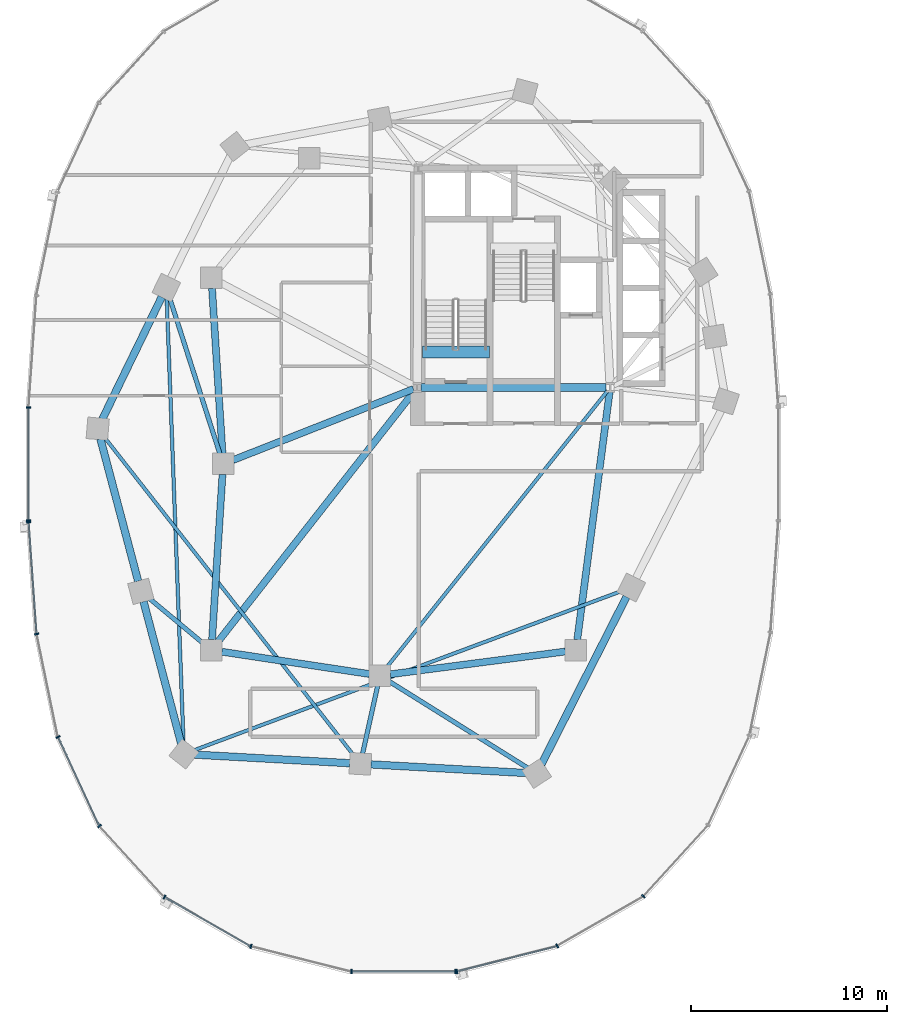
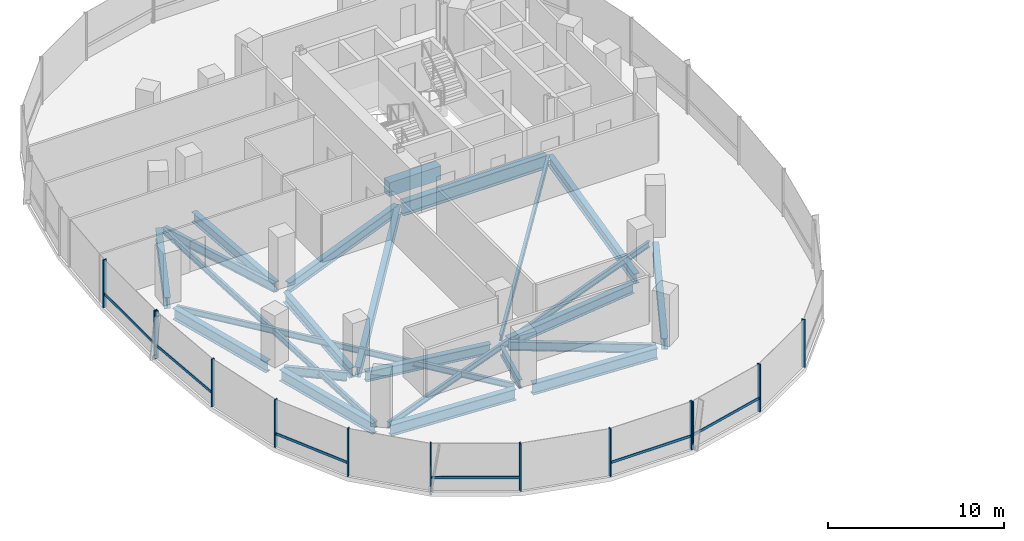
# One storey, part 2 of 21: 23 beams, 19 members, 3 elements without a shape of their own.
"""IFC4 building model written with IfcOpenShell, lengths in metres."""

from ifc_helpers import new_model, si_unit, direction, frame, origin, origin_2d, place, context, subcontext, project, spatial, rectangle, i_section, extrude, material, material_profile, profile_set, type_object, element, aggregate, save


model = new_model("IFC4")

# Units and contexts
model_context = context("Model", 3, precision=1e-05, world=origin(), true_north=direction((0.0, 1.0)))
body_context = subcontext(model_context, "Body", "Model", "MODEL_VIEW")
ifc_project = project(units=[si_unit("LENGTHUNIT", "METRE"), si_unit("AREAUNIT", "SQUARE_METRE"), si_unit("VOLUMEUNIT", "CUBIC_METRE"), si_unit("PLANEANGLEUNIT", "RADIAN"), si_unit("MASSUNIT", "GRAM", prefix="KILO"), si_unit("THERMODYNAMICTEMPERATUREUNIT", "KELVIN"), si_unit("POWERUNIT", "WATT")], contexts=[model_context])

# Site, building, storey
site_placement = place(None, origin())
site = spatial("IfcSite", under=ifc_project, at=site_placement, CompositionType="ELEMENT")
building_placement = place(site_placement, origin())
building = spatial("IfcBuilding", under=site, at=building_placement, Name="Cundina Bronze Exchange", CompositionType="ELEMENT")
storey_placement = place(building_placement, frame((0.0, 0.0, 85.39990234375)))
storey = spatial("IfcBuildingStorey", under=building, at=storey_placement, Name="L21", CompositionType="ELEMENT", Elevation=85.39990234375)

# Beams
ifc_material_1 = material(Name="Concrete C60/75", Category="concrete")
ifc_material_profile_1 = material_profile(ifc_material_1, rectangle(XDim=0.60009765625, YDim=0.949951171875, at=origin_2d()), Name="RC600X950", Category="concrete")
ifc_profile_set_1 = profile_set([ifc_material_profile_1], Name="Concrete C60/75")
beam_type_1 = type_object("IfcBeamType", Name="BM-COUP-RC950", PredefinedType="LINTEL", material=ifc_profile_set_1)
beam_1_placement = place(storey_placement, frame((-31.02001953125, 5.719970703125, -0.474853515625), z_axis=(1.0, 0.0, 0.0), x_axis=(0.0, 1.0, 0.0)))
element("IfcBeam", 1, at=beam_1_placement, inside=storey, type_object=beam_type_1, Name="L21 Stair W1 Landing Header Beam", PredefinedType="LINTEL", context=body_context, shape_type="SweptSolid", body=[
    extrude(rectangle(XDim=0.60009765625, YDim=0.949951171875, at=origin_2d()), origin(), (0.0, 0.0, 1.0), 3.39990234375),
])
ifc_material_2 = material(Name="Steel ASTM A992 Grade 50", Category="steel")
ifc_material_profile_2 = material_profile(ifc_material_2, i_section(OverallWidth=0.22998046875, OverallDepth=0.616943359375, WebThickness=0.01318359375, FlangeThickness=0.022216796875, FilletRadius=0.013916015625, at=origin_2d()), Name="W24X94", Category="steel")
ifc_profile_set_2 = profile_set([ifc_material_profile_2], Name="Steel ASTM A992 Grade 50")
beam_type_2 = type_object("IfcBeamType", Name="BM-FLR-W24B", PredefinedType="BEAM", material=ifc_profile_set_2)
beam_2_placement = place(storey_placement, frame((-41.364990234375, 0.51220703125, -0.6083984375), z_axis=(-0.306710777581, 0.951802762612, 0.0), x_axis=(-0.951802762612, -0.306710777581, 0.0)))
element("IfcBeam", 2, at=beam_2_placement, inside=storey, type_object=beam_type_2, Name="L21 Leg W Radial Floor Beam 07", PredefinedType="BEAM", context=body_context, shape_type="SweptSolid", body=[
    extrude(i_section(OverallWidth=0.22998046875, OverallDepth=0.616943359375, WebThickness=0.01318359375, FlangeThickness=0.022216796875, FilletRadius=0.013916015625, at=origin_2d()), origin(), (0.0, 0.0, 1.0), 8.37939453125),
])
beam_3_placement = place(storey_placement, frame((-42.21337890625, -9.155517578125, -0.6083984375), z_axis=(-0.768243451945, 0.640157791911, 0.0), x_axis=(-0.640157791911, -0.768243451945, 0.0)))
element("IfcBeam", 3, at=beam_3_placement, inside=storey, type_object=beam_type_2, Name="L21 Leg W Radial Floor Beam 09", PredefinedType="BEAM", context=body_context, shape_type="SweptSolid", body=[
    extrude(i_section(OverallWidth=0.22998046875, OverallDepth=0.616943359375, WebThickness=0.01318359375, FlangeThickness=0.022216796875, FilletRadius=0.013916015625, at=origin_2d()), origin(), (0.0, 0.0, 1.0), 3.610107421875),
])
beam_4_placement = place(storey_placement, frame((-33.316650390625, -11.3251953125, -0.6083984375), z_axis=(-0.216930457819, -0.976187060184, 0.0), x_axis=(0.976187060184, -0.216930457819, 0.0)))
element("IfcBeam", 4, at=beam_4_placement, inside=storey, type_object=beam_type_2, Name="L21 Leg W Radial Floor Beam 11", PredefinedType="BEAM", context=body_context, shape_type="SweptSolid", body=[
    extrude(i_section(OverallWidth=0.22998046875, OverallDepth=0.616943359375, WebThickness=0.01318359375, FlangeThickness=0.022216796875, FilletRadius=0.013916015625, at=origin_2d()), origin(), (0.0, 0.0, 1.0), 3.533935546875),
])
beam_5_placement = place(storey_placement, frame((-32.743896484375, -11.085205078125, -0.6083984375), z_axis=(0.848003227047, -0.529991063055, 0.0), x_axis=(0.529991063055, 0.848003227047, 0.0)))
element("IfcBeam", 5, at=beam_5_placement, inside=storey, type_object=beam_type_2, Name="L21 Leg W Radial Floor Beam 12", PredefinedType="BEAM", context=body_context, shape_type="SweptSolid", body=[
    extrude(i_section(OverallWidth=0.22998046875, OverallDepth=0.616943359375, WebThickness=0.01318359375, FlangeThickness=0.022216796875, FilletRadius=0.013916015625, at=origin_2d()), origin(), (0.0, 0.0, 1.0), 8.358154296875),
])
ifc_material_profile_3 = material_profile(ifc_material_2, i_section(OverallWidth=0.178955078125, OverallDepth=0.409912109375, WebThickness=0.0087890625, FlangeThickness=0.014404296875, FilletRadius=0.010986328125, at=origin_2d()), Name="W16X45", Category="steel")
ifc_profile_set_3 = profile_set([ifc_material_profile_3], Name="Steel ASTM A992 Grade 50")
beam_type_3 = type_object("IfcBeamType", Name="BM-JST-W16", PredefinedType="JOIST", material=ifc_profile_set_3)
beam_6_placement = place(storey_placement, frame((-21.577392578125, 3.740478515625, -0.5048828125), z_axis=(-0.62436887964, -0.781129632095, 0.0), x_axis=(0.781129632095, -0.62436887964, 0.0)))
element("IfcBeam", 6, at=beam_6_placement, inside=storey, type_object=beam_type_3, Name="L21 W Interior Core-to-Ring Joist 2", PredefinedType="JOIST", context=body_context, shape_type="SweptSolid", body=[
    extrude(i_section(OverallWidth=0.178955078125, OverallDepth=0.409912109375, WebThickness=0.0087890625, FlangeThickness=0.014404296875, FilletRadius=0.010986328125, at=origin_2d()), origin(), (0.0, 0.0, 1.0), 18.076904296875),
])
beam_7_placement = place(storey_placement, frame((-44.07958984375, 8.46240234375, -0.5048828125), z_axis=(0.03778951385, -0.999285721224, 0.0), x_axis=(0.999285721224, 0.03778951385, 0.0)))
element("IfcBeam", 7, at=beam_7_placement, inside=storey, type_object=beam_type_3, Name="L21 Leg W Lobe Floor Joist 07-10", PredefinedType="JOIST", context=body_context, shape_type="SweptSolid", body=[
    extrude(i_section(OverallWidth=0.178955078125, OverallDepth=0.409912109375, WebThickness=0.0087890625, FlangeThickness=0.014404296875, FilletRadius=0.010986328125, at=origin_2d()), origin(), (0.0, 0.0, 1.0), 22.7412109375),
])
beam_8_placement = place(storey_placement, frame((-47.268310546875, 1.37646484375, -0.5048828125), z_axis=(0.616815348306, -0.787107887201, 0.0), x_axis=(0.787107887201, 0.616815348306, 0.0)))
element("IfcBeam", 8, at=beam_8_placement, inside=storey, type_object=beam_type_3, Name="L21 Leg W Lobe Floor Joist 08-11", PredefinedType="JOIST", context=body_context, shape_type="SweptSolid", body=[
    extrude(i_section(OverallWidth=0.178955078125, OverallDepth=0.409912109375, WebThickness=0.0087890625, FlangeThickness=0.014404296875, FilletRadius=0.010986328125, at=origin_2d()), origin(), (0.0, 0.0, 1.0), 20.64892578125),
])
beam_9_placement = place(storey_placement, frame((-42.69580078125, -14.6123046875, -0.5048828125), z_axis=(0.937127917421, 0.348986054721, 0.0), x_axis=(-0.348986054721, 0.937127917421, 0.0)))
element("IfcBeam", 9, at=beam_9_placement, inside=storey, type_object=beam_type_3, Name="L21 Leg W Lobe Floor Joist 10-13", PredefinedType="JOIST", context=body_context, shape_type="SweptSolid", body=[
    extrude(i_section(OverallWidth=0.178955078125, OverallDepth=0.409912109375, WebThickness=0.0087890625, FlangeThickness=0.014404296875, FilletRadius=0.010986328125, at=origin_2d()), origin(), (0.0, 0.0, 1.0), 23.2802734375),
])
ifc_material_profile_4 = material_profile(ifc_material_2, i_section(OverallWidth=0.35498046875, OverallDepth=0.695068359375, WebThickness=0.015380859375, FlangeThickness=0.02490234375, FilletRadius=0.01806640625, at=origin_2d()), Name="W27X146", Category="steel")
ifc_profile_set_4 = profile_set([ifc_material_profile_4], Name="Steel ASTM A992 Grade 50")
beam_type_4 = type_object("IfcBeamType", Name="BM-RING-W27", PredefinedType="USERDEFINED", material=ifc_profile_set_4)
for number, where, z_axis, x_axis, name in (
    (10, (-41.76611328125, 8.963134765625, -0.6474609375), (0.06303715519, -0.998011180832, 0.0), (0.998011180832, 0.06303715519, 0.0), "L21 W Inner Structural Ring Girder 03"),
    (11, (-41.23388671875, -0.536865234375, -0.6474609375), (-0.06303715519, -0.998011180832, 0.0), (0.998011180832, -0.06303715519, 0.0), "L21 W Inner Structural Ring Girder 04"),
):
    element("IfcBeam", number, at=place(storey_placement, frame(where, z_axis=z_axis, x_axis=x_axis)), inside=storey, type_object=beam_type_4, Name=name, ObjectType="GIRDER", PredefinedType="USERDEFINED", context=body_context, shape_type="SweptSolid", body=[
        extrude(i_section(OverallWidth=0.35498046875, OverallDepth=0.695068359375, WebThickness=0.015380859375, FlangeThickness=0.02490234375, FilletRadius=0.01806640625, at=origin_2d()), origin(), (0.0, 0.0, 1.0), 8.443115234375),
    ])
beam_10_placement = place(storey_placement, frame((-41.26806640625, -9.580322265625, -0.6474609375), z_axis=(0.988767489563, -0.149461873341, 0.0), x_axis=(0.149461873341, 0.988767489563, 0.0)))
element("IfcBeam", 12, at=beam_10_placement, inside=storey, type_object=beam_type_4, Name="L21 W Inner Structural Ring Girder 05", ObjectType="GIRDER", PredefinedType="USERDEFINED", context=body_context, shape_type="SweptSolid", body=[
    extrude(i_section(OverallWidth=0.35498046875, OverallDepth=0.695068359375, WebThickness=0.015380859375, FlangeThickness=0.02490234375, FilletRadius=0.01806640625, at=origin_2d()), origin(), (0.0, 0.0, 1.0), 7.621826171875),
])
beam_11_placement = place(storey_placement, frame((-32.66650390625, -10.730712890625, -0.6474609375), z_axis=(0.991654577907, 0.128923225666, 0.0), x_axis=(-0.128923225666, 0.991654577907, 0.0)))
element("IfcBeam", 13, at=beam_11_placement, inside=storey, type_object=beam_type_4, Name="L21 W Inner Structural Ring Girder 06", ObjectType="GIRDER", PredefinedType="USERDEFINED", context=body_context, shape_type="SweptSolid", body=[
    extrude(i_section(OverallWidth=0.35498046875, OverallDepth=0.695068359375, WebThickness=0.015380859375, FlangeThickness=0.02490234375, FilletRadius=0.01806640625, at=origin_2d()), origin(), (0.0, 0.0, 1.0), 9.00830078125),
])
beam_12_placement = place(storey_placement, frame((-23.13037109375, -8.966552734375, -0.6474609375), z_axis=(0.129507526533, 0.99157843894, 0.0), x_axis=(-0.99157843894, 0.129507526533, 0.0)))
element("IfcBeam", 14, at=beam_12_placement, inside=storey, type_object=beam_type_4, Name="L21 W Inner Structural Ring Girder 07", ObjectType="GIRDER", PredefinedType="USERDEFINED", context=body_context, shape_type="SweptSolid", body=[
    extrude(i_section(OverallWidth=0.35498046875, OverallDepth=0.695068359375, WebThickness=0.015380859375, FlangeThickness=0.02490234375, FilletRadius=0.01806640625, at=origin_2d()), origin(), (0.0, 0.0, 1.0), 12.77197265625),
])
beam_13_placement = place(storey_placement, frame((-31.48974609375, 3.8251953125, -0.6474609375), z_axis=(-0.930413235418, -0.366512225388, 0.0), x_axis=(0.366512225388, -0.930413235418, 0.0)))
element("IfcBeam", 15, at=beam_13_placement, inside=storey, type_object=beam_type_4, Name="L21 W Core-to-Waist Tie Beam 1", ObjectType="GIRDER", PredefinedType="USERDEFINED", context=body_context, shape_type="SweptSolid", body=[
    extrude(i_section(OverallWidth=0.35498046875, OverallDepth=0.695068359375, WebThickness=0.015380859375, FlangeThickness=0.02490234375, FilletRadius=0.01806640625, at=origin_2d()), origin(), (0.0, 0.0, 1.0), 9.8984375),
])
beam_14_placement = place(storey_placement, frame((-31.42578125, 3.739501953125, -0.6474609375), z_axis=(-0.616789275748, -0.787128318206, 0.0), x_axis=(0.787128318206, -0.616789275748, 0.0)))
element("IfcBeam", 16, at=beam_14_placement, inside=storey, type_object=beam_type_4, Name="L21 W Core-to-Waist Tie Beam 3", ObjectType="GIRDER", PredefinedType="USERDEFINED", context=body_context, shape_type="SweptSolid", body=[
    extrude(i_section(OverallWidth=0.35498046875, OverallDepth=0.695068359375, WebThickness=0.015380859375, FlangeThickness=0.02490234375, FilletRadius=0.01806640625, at=origin_2d()), origin(), (0.0, 0.0, 1.0), 16.281982421875),
])
ifc_material_profile_5 = material_profile(ifc_material_2, i_section(OverallWidth=0.381103515625, OverallDepth=0.77294921875, WebThickness=0.0166015625, FlangeThickness=0.027099609375, FilletRadius=0.01904296875, at=origin_2d()), Name="W30X173", Category="steel")
ifc_profile_set_5 = profile_set([ifc_material_profile_5], Name="Steel ASTM A992 Grade 50")
beam_type_5 = type_object("IfcBeamType", Name="BM-RING-W30", PredefinedType="USERDEFINED", material=ifc_profile_set_5)
beam_15_placement = place(storey_placement, frame((-44.335205078125, 8.51611328125, -0.6865234375), z_axis=(-0.437193894283, -0.899367276924, 0.0), x_axis=(0.899367276924, -0.437193894283, 0.0)))
element("IfcBeam", 17, at=beam_15_placement, inside=storey, type_object=beam_type_5, Name="L21 W Perimeter Ring Girder 07", ObjectType="GIRDER", PredefinedType="USERDEFINED", context=body_context, shape_type="SweptSolid", body=[
    extrude(i_section(OverallWidth=0.381103515625, OverallDepth=0.77294921875, WebThickness=0.0166015625, FlangeThickness=0.027099609375, FilletRadius=0.01904296875, at=origin_2d()), origin(), (0.0, 0.0, 1.0), 6.929443359375),
])
for number, where, z_axis, x_axis, name in (
    (18, (-47.462158203125, 1.280029296875, -0.6865234375), (0.256209719931, -0.966621218168, 0.0), (0.966621218168, 0.256209719931, 0.0), "L21 W Perimeter Ring Girder 08"),
    (19, (-45.26220703125, -7.02001953125, -0.6865234375), (0.256209719931, -0.966621218168, 0.0), (0.966621218168, 0.256209719931, 0.0), "L21 W Perimeter Ring Girder 09"),
):
    element("IfcBeam", number, at=place(storey_placement, frame(where, z_axis=z_axis, x_axis=x_axis)), inside=storey, type_object=beam_type_5, Name=name, ObjectType="GIRDER", PredefinedType="USERDEFINED", context=body_context, shape_type="SweptSolid", body=[
        extrude(i_section(OverallWidth=0.381103515625, OverallDepth=0.77294921875, WebThickness=0.0166015625, FlangeThickness=0.027099609375, FilletRadius=0.01904296875, at=origin_2d()), origin(), (0.0, 0.0, 1.0), 7.5107421875),
    ])
for number, where, z_axis, x_axis, name in (
    (20, (-42.662841796875, -14.829833984375, -0.6865234375), (0.99845950136, -0.055485350721, 0.0), (0.055485350721, 0.99845950136, 0.0), "L21 W Perimeter Ring Girder 10"),
    (21, (-33.662841796875, -15.329833984375, -0.6865234375), (0.99845950136, -0.055485350721, 0.0), (0.055485350721, 0.99845950136, 0.0), "L21 W Perimeter Ring Girder 11"),
):
    element("IfcBeam", number, at=place(storey_placement, frame(where, z_axis=z_axis, x_axis=x_axis)), inside=storey, type_object=beam_type_5, Name=name, ObjectType="GIRDER", PredefinedType="USERDEFINED", context=body_context, shape_type="SweptSolid", body=[
        extrude(i_section(OverallWidth=0.381103515625, OverallDepth=0.77294921875, WebThickness=0.0166015625, FlangeThickness=0.027099609375, FilletRadius=0.01904296875, at=origin_2d()), origin(), (0.0, 0.0, 1.0), 7.937744140625),
    ])
beam_16_placement = place(storey_placement, frame((-24.956298828125, -15.3203125, -0.6865234375), z_axis=(0.452832332744, 0.891595692241, 0.0), x_axis=(-0.891595692241, 0.452832332744, 0.0)))
element("IfcBeam", 22, at=beam_16_placement, inside=storey, type_object=beam_type_5, Name="L21 W Perimeter Ring Girder 12", ObjectType="GIRDER", PredefinedType="USERDEFINED", context=body_context, shape_type="SweptSolid", body=[
    extrude(i_section(OverallWidth=0.381103515625, OverallDepth=0.77294921875, WebThickness=0.0166015625, FlangeThickness=0.027099609375, FilletRadius=0.01904296875, at=origin_2d()), origin(), (0.0, 0.0, 1.0), 9.578857421875),
])
ifc_material_profile_6 = material_profile(ifc_material_2, i_section(OverallWidth=0.41796875, OverallDepth=0.927001953125, WebThickness=0.019287109375, FlangeThickness=0.031982421875, FilletRadius=0.02392578125, at=origin_2d()), Name="W36X231", Category="steel")
ifc_profile_set_6 = profile_set([ifc_material_profile_6], Name="Steel ASTM A992 Grade 50")
beam_type_6 = type_object("IfcBeamType", Name="BM-WRN-W36B", PredefinedType="USERDEFINED", material=ifc_profile_set_6)
beam_17_placement = place(storey_placement, frame((-31.095947265625, 3.89990234375, -0.763427734375), z_axis=(1.0, 0.0, 0.0), x_axis=(0.0, 1.0, 0.0)))
element("IfcBeam", 23, at=beam_17_placement, inside=storey, type_object=beam_type_6, Name="L21 W Core Perimeter Tie Girder 1", ObjectType="GIRDER", PredefinedType="USERDEFINED", context=body_context, shape_type="SweptSolid", body=[
    extrude(i_section(OverallWidth=0.41796875, OverallDepth=0.927001953125, WebThickness=0.019287109375, FlangeThickness=0.031982421875, FilletRadius=0.02392578125, at=origin_2d()), origin(), (0.0, 0.0, 1.0), 9.44189453125),
])

# Curtain wall, members
ifc_material_3 = material(Name="Anodised Bronze Aluminium 6063-T6", Category="aluminium")
curtain_wall_type = type_object("IfcCurtainWallType", Name="CWS-TRD-MID", PredefinedType="NOTDEFINED", material=ifc_material_3)
curtain_wall_1_placement = place(storey_placement, origin())
curtain_wall_1 = element("IfcCurtainWall", 24, at=curtain_wall_1_placement, inside=storey, type_object=curtain_wall_type, Name="L21 CW-03 Curtain Wall Run CWR-L21-W2", PredefinedType="NOTDEFINED")
ifc_material_profile_7 = material_profile(ifc_material_3, rectangle(XDim=0.074951171875, YDim=0.219970703125, at=origin_2d()), Name="AL75X220", Category="aluminium")
ifc_profile_set_7 = profile_set([ifc_material_profile_7], Name="Anodised Bronze Aluminium 6063-T6")
member_type_1 = type_object("IfcMemberType", Name="CWM-MUL-220", PredefinedType="MULLION", material=ifc_profile_set_7)
member_1_placement = place(storey_placement, frame((-51.1279296875, 2.880615234375, 0.0), z_axis=(0.0, 0.0, 1.0), x_axis=(0.0, -1.0, 0.0)))
member_1 = element("IfcMember", 25, at=member_1_placement, type_object=member_type_1, Name="CW-03 Mullion 7", PredefinedType="MULLION", context=body_context, shape_type="SweptSolid", body=[
    extrude(rectangle(XDim=0.074951171875, YDim=0.219970703125, at=origin_2d()), origin(), (0.0, 0.0, 1.0), 3.300048828125),
])
member_2_placement = place(storey_placement, frame((-51.1279296875, -2.880615234375, 0.0), z_axis=(0.0, 0.0, 1.0), x_axis=(0.0, -1.0, 0.0)))
member_2 = element("IfcMember", 26, at=member_2_placement, type_object=member_type_1, Name="CW-03 End Mullion", PredefinedType="MULLION", context=body_context, shape_type="SweptSolid", body=[
    extrude(rectangle(XDim=0.074951171875, YDim=0.219970703125, at=origin_2d()), origin(), (0.0, 0.0, 1.0), 3.300048828125),
])

curtain_wall_2_placement = place(storey_placement, origin())
curtain_wall_2 = element("IfcCurtainWall", 27, at=curtain_wall_2_placement, inside=storey, type_object=curtain_wall_type, Name="L21 CW-03 Curtain Wall Run CWR-L21-W3", PredefinedType="NOTDEFINED")
member_3_placement = place(storey_placement, frame((-51.12451171875, -2.976318359375, 0.0), z_axis=(0.0, 0.0, 1.0), x_axis=(0.070278787473, -0.997527389113, 0.0)))
member_3 = element("IfcMember", 28, at=member_3_placement, type_object=member_type_1, Name="CW-03 Mullion 1", PredefinedType="MULLION", context=body_context, shape_type="SweptSolid", body=[
    extrude(rectangle(XDim=0.074951171875, YDim=0.219970703125, at=origin_2d()), origin(), (0.0, 0.0, 1.0), 3.300048828125),
])
member_4_placement = place(storey_placement, frame((-50.717041015625, -8.67822265625, 0.0), z_axis=(0.0, 0.0, 1.0), x_axis=(0.201419845156, -0.979505000486, 0.0)))
member_4 = element("IfcMember", 29, at=member_4_placement, type_object=member_type_1, Name="CW-03 Mullion 2", PredefinedType="MULLION", context=body_context, shape_type="SweptSolid", body=[
    extrude(rectangle(XDim=0.074951171875, YDim=0.219970703125, at=origin_2d()), origin(), (0.0, 0.0, 1.0), 3.300048828125),
])
member_5_placement = place(storey_placement, frame((-49.6279296875, -13.931884765625, 0.0), z_axis=(0.0, 0.0, 1.0), x_axis=(0.42087749791, -0.907117485088, 0.0)))
member_5 = element("IfcMember", 30, at=member_5_placement, type_object=member_type_1, Name="CW-03 Mullion 3", PredefinedType="MULLION", context=body_context, shape_type="SweptSolid", body=[
    extrude(rectangle(XDim=0.074951171875, YDim=0.219970703125, at=origin_2d()), origin(), (0.0, 0.0, 1.0), 3.300048828125),
])
member_6_placement = place(storey_placement, frame((-47.508544921875, -18.47705078125, 0.0), z_axis=(0.0, 0.0, 1.0), x_axis=(0.674302387584, -0.738455340626, 0.0)))
member_6 = element("IfcMember", 31, at=member_6_placement, type_object=member_type_1, Name="CW-03 Mullion 4", PredefinedType="MULLION", context=body_context, shape_type="SweptSolid", body=[
    extrude(rectangle(XDim=0.074951171875, YDim=0.219970703125, at=origin_2d()), origin(), (0.0, 0.0, 1.0), 3.300048828125),
])
member_7_placement = place(storey_placement, frame((-44.189697265625, -22.097412109375, 0.0), z_axis=(0.0, 0.0, 1.0), x_axis=(0.867070701164, -0.498185105339, 0.0)))
member_7 = element("IfcMember", 32, at=member_7_placement, type_object=member_type_1, Name="CW-03 Mullion 5", PredefinedType="MULLION", context=body_context, shape_type="SweptSolid", body=[
    extrude(rectangle(XDim=0.074951171875, YDim=0.219970703125, at=origin_2d()), origin(), (0.0, 0.0, 1.0), 3.300048828125),
])
member_8_placement = place(storey_placement, frame((-39.78515625, -24.61669921875, 0.0), z_axis=(0.0, 0.0, 1.0), x_axis=(0.969488149345, -0.245138182011, 0.0)))
member_8 = element("IfcMember", 33, at=member_8_placement, type_object=member_type_1, Name="CW-03 Mullion 6", PredefinedType="MULLION", context=body_context, shape_type="SweptSolid", body=[
    extrude(rectangle(XDim=0.074951171875, YDim=0.219970703125, at=origin_2d()), origin(), (0.0, 0.0, 1.0), 3.300048828125),
])
member_9_placement = place(storey_placement, frame((-34.654541015625, -25.905029296875, 0.0), z_axis=(0.0, 0.0, 1.0), x_axis=(1.0, 0.0, 0.0)))
member_9 = element("IfcMember", 34, at=member_9_placement, type_object=member_type_1, Name="CW-03 Mullion 7", PredefinedType="MULLION", context=body_context, shape_type="SweptSolid", body=[
    extrude(rectangle(XDim=0.074951171875, YDim=0.219970703125, at=origin_2d()), origin(), (0.0, 0.0, 1.0), 3.300048828125),
])
member_10_placement = place(storey_placement, frame((-29.345458984375, -25.905029296875, 0.0), z_axis=(0.0, 0.0, 1.0), x_axis=(1.0, 0.0, 0.0)))
member_10 = element("IfcMember", 35, at=member_10_placement, type_object=member_type_1, Name="CW-03 End Mullion", PredefinedType="MULLION", context=body_context, shape_type="SweptSolid", body=[
    extrude(rectangle(XDim=0.074951171875, YDim=0.219970703125, at=origin_2d()), origin(), (0.0, 0.0, 1.0), 3.300048828125),
])

curtain_wall_3_placement = place(storey_placement, origin())
curtain_wall_3 = element("IfcCurtainWall", 36, at=curtain_wall_3_placement, inside=storey, type_object=curtain_wall_type, Name="L21 CW-03 Curtain Wall Run CWR-L21-W4", PredefinedType="NOTDEFINED")
member_11_placement = place(storey_placement, frame((-29.27392578125, -25.89599609375, 0.0), z_axis=(0.0, 0.0, 1.0), x_axis=(0.969488149345, 0.245138182011, 0.0)))
member_11 = element("IfcMember", 37, at=member_11_placement, type_object=member_type_1, Name="CW-03 Mullion 1", PredefinedType="MULLION", context=body_context, shape_type="SweptSolid", body=[
    extrude(rectangle(XDim=0.074951171875, YDim=0.219970703125, at=origin_2d()), origin(), (0.0, 0.0, 1.0), 3.300048828125),
])
member_12_placement = place(storey_placement, frame((-24.151123046875, -24.591064453125, 0.0), z_axis=(0.0, 0.0, 1.0), x_axis=(0.867070701164, 0.498185105339, 0.0)))
member_12 = element("IfcMember", 38, at=member_12_placement, type_object=member_type_1, Name="CW-03 Mullion 2", PredefinedType="MULLION", context=body_context, shape_type="SweptSolid", body=[
    extrude(rectangle(XDim=0.074951171875, YDim=0.219970703125, at=origin_2d()), origin(), (0.0, 0.0, 1.0), 3.300048828125),
])
member_13_placement = place(storey_placement, frame((-19.760498046875, -22.0576171875, 0.0), z_axis=(0.0, 0.0, 1.0), x_axis=(0.674302387584, 0.738455340626, 0.0)))
member_13 = element("IfcMember", 39, at=member_13_placement, type_object=member_type_1, Name="CW-03 Mullion 3", PredefinedType="MULLION", context=body_context, shape_type="SweptSolid", body=[
    extrude(rectangle(XDim=0.074951171875, YDim=0.219970703125, at=origin_2d()), origin(), (0.0, 0.0, 1.0), 3.300048828125),
])

# Member
ifc_material_profile_8 = material_profile(ifc_material_3, rectangle(XDim=0.070068359375, YDim=0.179931640625, at=origin_2d()), Name="AL70X180", Category="aluminium")
ifc_profile_set_8 = profile_set([ifc_material_profile_8], Name="Anodised Bronze Aluminium 6063-T6")
member_type_2 = type_object("IfcMemberType", Name="CWM-TRN-180", PredefinedType="USERDEFINED", material=ifc_profile_set_8)
member_14_placement = place(storey_placement, frame((-51.1279296875, 2.839111328125, 0.920166015625), z_axis=(0.0, -1.0, 0.0), x_axis=(1.0, 0.0, 0.0)))
member_14 = element("IfcMember", 40, at=member_14_placement, type_object=member_type_2, Name="CW-03 Spandrel Transom 7", ObjectType="TRANSOM", PredefinedType="USERDEFINED", context=body_context, shape_type="SweptSolid", body=[
    extrude(rectangle(XDim=0.070068359375, YDim=0.179931640625, at=origin_2d()), origin(), (0.0, 0.0, 1.0), 5.67822265625),
])

aggregate(curtain_wall_1, [member_1, member_2, member_14])

member_15_placement = place(storey_placement, frame((-51.12158203125, -3.017333984375, 0.920166015625), z_axis=(0.070260714471, -0.997528662246, 0.0), x_axis=(0.997528662246, 0.070260714471, 0.0)))
member_15 = element("IfcMember", 41, at=member_15_placement, type_object=member_type_2, Name="CW-03 Spandrel Transom 1", ObjectType="TRANSOM", PredefinedType="USERDEFINED", context=body_context, shape_type="SweptSolid", body=[
    extrude(rectangle(XDim=0.070068359375, YDim=0.179931640625, at=origin_2d()), origin(), (0.0, 0.0, 1.0), 5.629150390625),
])

member_16_placement = place(storey_placement, frame((-49.610595703125, -13.96923828125, 0.920166015625), z_axis=(0.420811422796, -0.907148139195, 0.0), x_axis=(0.907148139195, 0.420811422796, 0.0)))
member_16 = element("IfcMember", 42, at=member_16_placement, type_object=member_type_2, Name="CW-03 Spandrel Transom 3", ObjectType="TRANSOM", PredefinedType="USERDEFINED", context=body_context, shape_type="SweptSolid", body=[
    extrude(rectangle(XDim=0.070068359375, YDim=0.179931640625, at=origin_2d()), origin(), (0.0, 0.0, 1.0), 4.95166015625),
])

member_17_placement = place(storey_placement, frame((-44.154052734375, -22.117919921875, 0.920166015625), z_axis=(0.867097475651, -0.498138502546, 0.0), x_axis=(0.498138502546, 0.867097475651, 0.0)))
member_17 = element("IfcMember", 43, at=member_17_placement, type_object=member_type_2, Name="CW-03 Spandrel Transom 5", ObjectType="TRANSOM", PredefinedType="USERDEFINED", context=body_context, shape_type="SweptSolid", body=[
    extrude(rectangle(XDim=0.070068359375, YDim=0.179931640625, at=origin_2d()), origin(), (0.0, 0.0, 1.0), 5.00634765625),
])

member_18_placement = place(storey_placement, frame((-34.61328125, -25.905029296875, 0.920166015625), z_axis=(1.0, 0.0, 0.0), x_axis=(0.0, 1.0, 0.0)))
member_18 = element("IfcMember", 44, at=member_18_placement, type_object=member_type_2, Name="CW-03 Spandrel Transom 7", ObjectType="TRANSOM", PredefinedType="USERDEFINED", context=body_context, shape_type="SweptSolid", body=[
    extrude(rectangle(XDim=0.070068359375, YDim=0.179931640625, at=origin_2d()), origin(), (0.0, 0.0, 1.0), 5.2265625),
])

aggregate(curtain_wall_2, [member_3, member_15, member_4, member_5, member_16, member_6, member_7, member_17, member_8, member_9, member_10, member_18])

member_19_placement = place(storey_placement, frame((-29.23388671875, -25.885986328125, 0.920166015625), z_axis=(0.969483968866, 0.245154714644, 0.0), x_axis=(-0.245154714644, 0.969483968866, 0.0)))
member_19 = element("IfcMember", 45, at=member_19_placement, type_object=member_type_2, Name="CW-03 Spandrel Transom 1", ObjectType="TRANSOM", PredefinedType="USERDEFINED", context=body_context, shape_type="SweptSolid", body=[
    extrude(rectangle(XDim=0.070068359375, YDim=0.179931640625, at=origin_2d()), origin(), (0.0, 0.0, 1.0), 5.21826171875),
])

aggregate(curtain_wall_3, [member_11, member_19, member_12, member_13])

save(model, "model.ifc")
